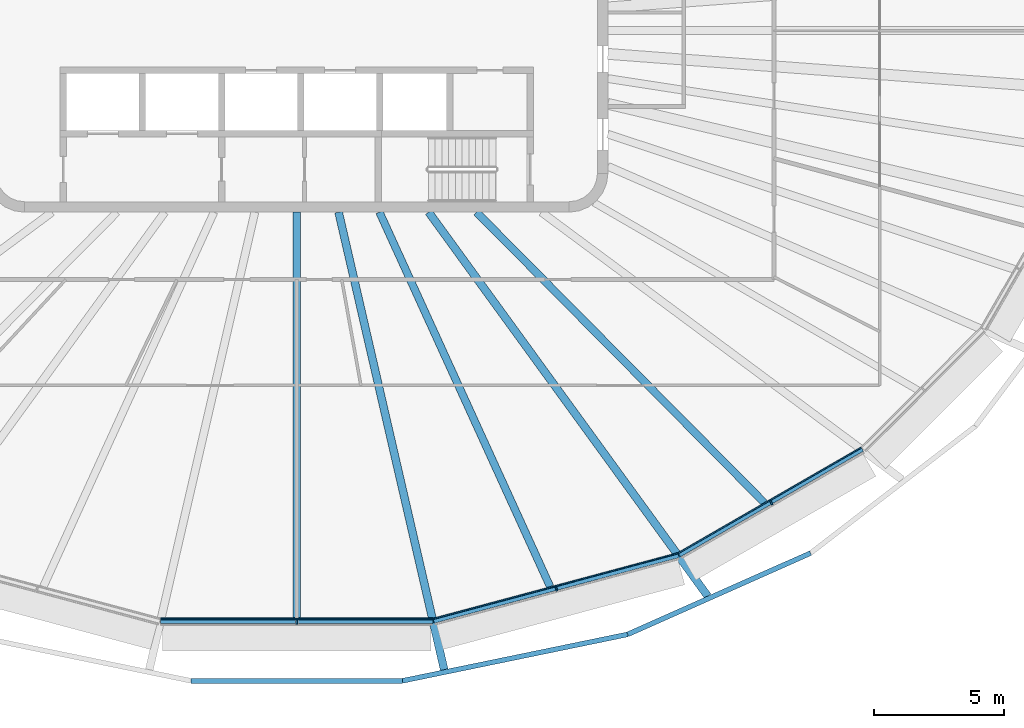
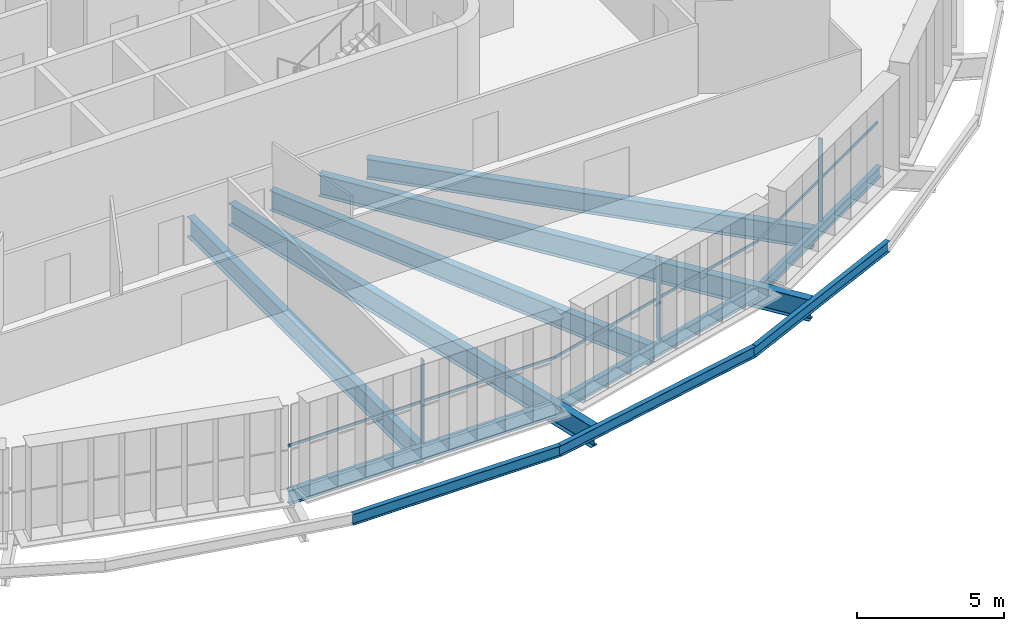
# One storey, part 3 of 20: 11 beams, 6 members, 3 elements without a shape of their own.
"""IFC4 building model written with IfcOpenShell, lengths in metres."""

from ifc_helpers import new_model, si_unit, direction, frame, origin, origin_2d, place, context, subcontext, project, spatial, rectangle, i_section, extrude, material, layer, layer_set, material_profile, profile_set, type_object, element, aggregate, save


model = new_model("IFC4")

# Units and contexts
model_context = context("Model", 3, precision=1e-05, world=origin(), true_north=direction((0.0, 1.0)))
body_context = subcontext(model_context, "Body", "Model", "MODEL_VIEW")
ifc_project = project(units=[si_unit("LENGTHUNIT", "METRE"), si_unit("AREAUNIT", "SQUARE_METRE"), si_unit("VOLUMEUNIT", "CUBIC_METRE"), si_unit("PLANEANGLEUNIT", "RADIAN"), si_unit("MASSUNIT", "GRAM", prefix="KILO")], contexts=[model_context])

# Site, building, storey
site_placement = place(None, origin())
site = spatial("IfcSite", under=ifc_project, at=site_placement, CompositionType="ELEMENT")
building_placement = place(site_placement, origin())
building = spatial("IfcBuilding", under=site, at=building_placement, Name="Sahrelin Media Tower", CompositionType="ELEMENT")
storey_placement = place(building_placement, frame((0.0, 0.0, 225.60009765625)))
storey = spatial("IfcBuildingStorey", under=building, at=storey_placement, Name="L48", CompositionType="ELEMENT", Elevation=225.60009765625)

# Beams
ifc_material_1 = material(Name="Steel S355", Category="steel")
ifc_material_profile_1 = material_profile(ifc_material_1, i_section(OverallWidth=0.1904296875, OverallDepth=0.45703125, WebThickness=0.009033203125, FlangeThickness=0.014404296875, FilletRadius=0.01025390625, at=origin_2d()), Name="UB 457x191x74")
ifc_profile_set_1 = profile_set([ifc_material_profile_1], Name="Steel S355")
beam_type_1 = type_object("IfcBeamType", Name="Edge beam EB5", PredefinedType="BEAM", material=ifc_profile_set_1)
beam_1_placement = place(storey_placement, frame((21.80517578125, -16.1337890625, -0.378662109375), z_axis=(-0.866012430043, -0.500022470507, 0.0), x_axis=(0.500022470507, -0.866012430043, 0.0)))
element("IfcBeam", 1, at=beam_1_placement, inside=storey, type_object=beam_type_1, Name="Edge beam L48-05", PredefinedType="BEAM", context=body_context, shape_type="SweptSolid", body=[
    extrude(i_section(OverallWidth=0.1904296875, OverallDepth=0.45703125, WebThickness=0.009033203125, FlangeThickness=0.014404296875, FilletRadius=0.01025390625, at=origin_2d()), origin(), (0.0, 0.0, 1.0), 8.147705078125),
])
ifc_material_profile_2 = material_profile(ifc_material_1, i_section(OverallWidth=0.208740234375, OverallDepth=0.5283203125, WebThickness=0.009521484375, FlangeThickness=0.01318359375, FilletRadius=0.0126953125, at=origin_2d()), Name="UB 533x210x82")
ifc_profile_set_2 = profile_set([ifc_material_profile_2], Name="Steel S355")
beam_type_2 = type_object("IfcBeamType", Name="Edge beam EB6", PredefinedType="BEAM", material=ifc_profile_set_2)
beam_2_placement = place(storey_placement, frame((14.72265625, -20.21875, -0.414306640625), z_axis=(-0.965927541634, -0.258812643265, 0.0), x_axis=(0.258812643265, -0.965927541634, 0.0)))
element("IfcBeam", 2, at=beam_2_placement, inside=storey, type_object=beam_type_2, Name="Edge beam L48-06", PredefinedType="BEAM", context=body_context, shape_type="SweptSolid", body=[
    extrude(i_section(OverallWidth=0.208740234375, OverallDepth=0.5283203125, WebThickness=0.009521484375, FlangeThickness=0.01318359375, FilletRadius=0.0126953125, at=origin_2d()), origin(), (0.0, 0.0, 1.0), 9.7763671875),
])
ifc_material_profile_3 = material_profile(ifc_material_1, i_section(OverallWidth=0.2275390625, OverallDepth=0.6025390625, WebThickness=0.010498046875, FlangeThickness=0.014892578125, FilletRadius=0.0126953125, at=origin_2d()), Name="UB 610x229x101")
ifc_profile_set_3 = profile_set([ifc_material_profile_3], Name="Steel S355")
beam_type_3 = type_object("IfcBeamType", Name="Edge beam EB7", PredefinedType="BEAM", material=ifc_profile_set_3)
beam_3_placement = place(storey_placement, frame((5.25048828125, -22.752685546875, -0.451416015625), z_axis=(-1.0, 0.0, 0.0), x_axis=(0.0, -1.0, 0.0)))
element("IfcBeam", 3, at=beam_3_placement, inside=storey, type_object=beam_type_3, Name="Edge beam L48-07", PredefinedType="BEAM", context=body_context, shape_type="SweptSolid", body=[
    extrude(i_section(OverallWidth=0.2275390625, OverallDepth=0.6025390625, WebThickness=0.010498046875, FlangeThickness=0.014892578125, FilletRadius=0.0126953125, at=origin_2d()), origin(), (0.0, 0.0, 1.0), 10.5009765625),
])

# Curtain wall, member
ifc_material_2 = material(Name="Champagne anodised aluminium 6063-T6", Category="aluminium")
ifc_layer = layer(ifc_material_2, 0.14990234375)
ifc_layer_set = layer_set([ifc_layer], Name="Tower ribbon curtain wall")
curtain_wall_type = type_object("IfcCurtainWallType", Name="Tower ribbon curtain wall", PredefinedType="NOTDEFINED", material=ifc_layer_set)
curtain_wall_1_placement = place(storey_placement, frame((0.0, -22.90283203125, 0.0), z_axis=(0.0, 0.0, 1.0), x_axis=(1.0, 0.0, 0.0)))
curtain_wall_1 = element("IfcCurtainWall", 4, at=curtain_wall_1_placement, inside=storey, type_object=curtain_wall_type, Name="L48:CW:L48-18", PredefinedType="NOTDEFINED")
ifc_material_profile_4 = material_profile(ifc_material_2, rectangle(XDim=0.06005859375, YDim=0.175048828125, at=origin_2d()), Name="Mullion 60x175")
ifc_profile_set_4 = profile_set([ifc_material_profile_4], Name="Champagne anodised aluminium 6063-T6")
member_type_1 = type_object("IfcMemberType", Name="Mullion 60x175 CW1B", PredefinedType="MULLION", material=ifc_profile_set_4)
member_1_placement = place(storey_placement, frame((0.0, -22.79541015625, 0.0), z_axis=(0.0, 0.0, 1.0), x_axis=(1.0, 0.0, 0.0)))
member_1 = element("IfcMember", 5, at=member_1_placement, type_object=member_type_1, Name="L48:CWM:L48-18", PredefinedType="MULLION", context=body_context, shape_type="SweptSolid", body=[
    extrude(rectangle(XDim=0.06005859375, YDim=0.175048828125, at=origin_2d()), origin(), (0.0, 0.0, 1.0), 3.448486328125),
])

curtain_wall_2_placement = place(storey_placement, frame((10.039794921875, -21.628662109375, 0.0), z_axis=(0.0, 0.0, 1.0), x_axis=(1.0, 0.0, 0.0)))
curtain_wall_2 = element("IfcCurtainWall", 6, at=curtain_wall_2_placement, inside=storey, type_object=curtain_wall_type, Name="L48:CW:L48-19", PredefinedType="NOTDEFINED")
member_2_placement = place(storey_placement, frame((10.011962890625, -21.52490234375, 0.0), z_axis=(0.0, 0.0, 1.0), x_axis=(0.965926278012, 0.258817359244, 0.0)))
member_2 = element("IfcMember", 7, at=member_2_placement, type_object=member_type_1, Name="L48:CWM:L48-19", PredefinedType="MULLION", context=body_context, shape_type="SweptSolid", body=[
    extrude(rectangle(XDim=0.06005859375, YDim=0.175048828125, at=origin_2d()), origin(), (0.0, 0.0, 1.0), 3.448486328125),
])

curtain_wall_3_placement = place(storey_placement, frame((18.352294921875, -18.30078125, 0.0), z_axis=(0.0, 0.0, 1.0), x_axis=(1.0, 0.0, 0.0)))
curtain_wall_3 = element("IfcCurtainWall", 8, at=curtain_wall_3_placement, inside=storey, type_object=curtain_wall_type, Name="L48:CW:L48-20", PredefinedType="NOTDEFINED")
member_3_placement = place(storey_placement, frame((18.298583984375, -18.20751953125, 0.0), z_axis=(0.0, 0.0, 1.0), x_axis=(0.866026276448, 0.4999984885, 0.0)))
member_3 = element("IfcMember", 9, at=member_3_placement, type_object=member_type_1, Name="L48:CWM:L48-20", PredefinedType="MULLION", context=body_context, shape_type="SweptSolid", body=[
    extrude(rectangle(XDim=0.06005859375, YDim=0.175048828125, at=origin_2d()), origin(), (0.0, 0.0, 1.0), 3.448486328125),
])

# Beams
ifc_material_profile_5 = material_profile(ifc_material_1, i_section(OverallWidth=0.30322265625, OverallDepth=0.903076171875, WebThickness=0.01513671875, FlangeThickness=0.020263671875, FilletRadius=0.01904296875, at=origin_2d()), Name="UB 914x305x201")
ifc_profile_set_5 = profile_set([ifc_material_profile_5], Name="Steel S355")
beam_type_4 = type_object("IfcBeamType", Name="Radial primary beam PB11", PredefinedType="BEAM", material=ifc_profile_set_5)
beam_4_placement = place(storey_placement, frame((1.615234375, -7.0, -0.6015625), z_axis=(0.224839811438, -0.974395740545, 0.0), x_axis=(0.974395740545, 0.224839811438, 0.0)))
element("IfcBeam", 10, at=beam_4_placement, inside=storey, type_object=beam_type_4, Name="Radial beam L48-19", PredefinedType="BEAM", context=body_context, shape_type="SweptSolid", body=[
    extrude(i_section(OverallWidth=0.30322265625, OverallDepth=0.903076171875, WebThickness=0.01513671875, FlangeThickness=0.020263671875, FilletRadius=0.01904296875, at=origin_2d()), origin(), (0.0, 0.0, 1.0), 18.1064453125),
])
beam_5_placement = place(storey_placement, frame((5.087890625, -7.0, -0.6015625), z_axis=(0.587944035453, -0.808901607846, 0.0), x_axis=(0.808901607846, 0.587944035453, 0.0)))
element("IfcBeam", 11, at=beam_5_placement, inside=storey, type_object=beam_type_4, Name="Radial beam L48-20", PredefinedType="BEAM", context=body_context, shape_type="SweptSolid", body=[
    extrude(i_section(OverallWidth=0.30322265625, OverallDepth=0.903076171875, WebThickness=0.01513671875, FlangeThickness=0.020263671875, FilletRadius=0.01904296875, at=origin_2d()), origin(), (0.0, 0.0, 1.0), 18.302001953125),
])
ifc_material_profile_6 = material_profile(ifc_material_1, i_section(OverallWidth=0.291748046875, OverallDepth=0.8349609375, WebThickness=0.013916015625, FlangeThickness=0.018798828125, FilletRadius=0.017822265625, at=origin_2d()), Name="UB 838x292x176")
ifc_profile_set_6 = profile_set([ifc_material_profile_6], Name="Steel S355")
beam_type_5 = type_object("IfcBeamType", Name="Radial secondary beam SB10", PredefinedType="BEAM", material=ifc_profile_set_6)
beam_6_placement = place(storey_placement, frame((0.0, -7.0, -0.567626953125), z_axis=(0.0, -1.0, 0.0), x_axis=(1.0, 0.0, 0.0)))
element("IfcBeam", 12, at=beam_6_placement, inside=storey, type_object=beam_type_5, Name="Secondary beam L48-14", PredefinedType="BEAM", context=body_context, shape_type="SweptSolid", body=[
    extrude(i_section(OverallWidth=0.291748046875, OverallDepth=0.8349609375, WebThickness=0.013916015625, FlangeThickness=0.018798828125, FilletRadius=0.017822265625, at=origin_2d()), origin(), (0.0, 0.0, 1.0), 15.638916015625),
])
beam_7_placement = place(storey_placement, frame((3.1904296875, -7.0, -0.567626953125), z_axis=(0.414733659063, -0.909942850975, 0.0), x_axis=(0.909942850975, 0.414733659063, 0.0)))
element("IfcBeam", 13, at=beam_7_placement, inside=storey, type_object=beam_type_5, Name="Secondary beam L48-15", PredefinedType="BEAM", context=body_context, shape_type="SweptSolid", body=[
    extrude(i_section(OverallWidth=0.291748046875, OverallDepth=0.8349609375, WebThickness=0.013916015625, FlangeThickness=0.018798828125, FilletRadius=0.017822265625, at=origin_2d()), origin(), (0.0, 0.0, 1.0), 15.866455078125),
])
beam_8_placement = place(storey_placement, frame((6.93359375, -7.0, -0.567626953125), z_axis=(0.703723553011, -0.710473898843, 0.0), x_axis=(0.710473898843, 0.703723553011, 0.0)))
element("IfcBeam", 14, at=beam_8_placement, inside=storey, type_object=beam_type_5, Name="Secondary beam L48-16", PredefinedType="BEAM", context=body_context, shape_type="SweptSolid", body=[
    extrude(i_section(OverallWidth=0.291748046875, OverallDepth=0.8349609375, WebThickness=0.013916015625, FlangeThickness=0.018798828125, FilletRadius=0.017822265625, at=origin_2d()), origin(), (0.0, 0.0, 1.0), 15.768798828125),
])
ifc_material_profile_7 = material_profile(ifc_material_1, i_section(OverallWidth=0.1904296875, OverallDepth=0.45703125, WebThickness=0.009033203125, FlangeThickness=0.014404296875, FilletRadius=0.01025390625, at=origin_2d()), Name="UB 457x191x74")
ifc_profile_set_7 = profile_set([ifc_material_profile_7], Name="Steel S355")
beam_type_6 = type_object("IfcBeamType", Name="Tie chord TC5", PredefinedType="BEAM", material=ifc_profile_set_7)
beam_9_placement = place(storey_placement, frame((-4.073974609375, -25.072509765625, -0.378662109375), z_axis=(1.0, 0.0, 0.0), x_axis=(0.0, 1.0, 0.0)))
element("IfcBeam", 15, at=beam_9_placement, inside=storey, type_object=beam_type_6, Name="Tie chord L48-18", PredefinedType="BEAM", context=body_context, shape_type="SweptSolid", body=[
    extrude(i_section(OverallWidth=0.1904296875, OverallDepth=0.45703125, WebThickness=0.009033203125, FlangeThickness=0.014404296875, FilletRadius=0.01025390625, at=origin_2d()), origin(), (0.0, 0.0, 1.0), 8.14794921875),
])
beam_10_placement = place(storey_placement, frame((4.073974609375, -25.072509765625, -0.378662109375), z_axis=(0.979387737281, 0.201989257299, 0.0), x_axis=(-0.201989257299, 0.979387737281, 0.0)))
element("IfcBeam", 16, at=beam_10_placement, inside=storey, type_object=beam_type_6, Name="Tie chord L48-19", PredefinedType="BEAM", context=body_context, shape_type="SweptSolid", body=[
    extrude(i_section(OverallWidth=0.1904296875, OverallDepth=0.45703125, WebThickness=0.009033203125, FlangeThickness=0.014404296875, FilletRadius=0.01025390625, at=origin_2d()), origin(), (0.0, 0.0, 1.0), 8.8681640625),
])
beam_11_placement = place(storey_placement, frame((12.75927734375, -23.28125, -0.378662109375), z_axis=(0.913827194027, 0.406103262061, 0.0), x_axis=(-0.406103262061, 0.913827194027, 0.0)))
element("IfcBeam", 17, at=beam_11_placement, inside=storey, type_object=beam_type_6, Name="Tie chord L48-20", PredefinedType="BEAM", context=body_context, shape_type="SweptSolid", body=[
    extrude(i_section(OverallWidth=0.1904296875, OverallDepth=0.45703125, WebThickness=0.009033203125, FlangeThickness=0.014404296875, FilletRadius=0.01025390625, at=origin_2d()), origin(), (0.0, 0.0, 1.0), 7.721435546875),
])

# Member
ifc_material_profile_8 = material_profile(ifc_material_2, rectangle(XDim=0.050048828125, YDim=0.110107421875, at=origin_2d()), Name="Transom 50x110")
ifc_profile_set_8 = profile_set([ifc_material_profile_8], Name="Champagne anodised aluminium 6063-T6")
member_type_2 = type_object("IfcMemberType", Name="Transom 50x110 CW1B", PredefinedType="USERDEFINED", material=ifc_profile_set_8)
member_4_placement = place(storey_placement, frame((-5.23486328125, -22.682861328125, 1.599853515625), z_axis=(1.0, 0.0, 0.0), x_axis=(0.0, 1.0, 0.0)))
member_4 = element("IfcMember", 18, at=member_4_placement, type_object=member_type_2, Name="L48:CWT:L48-18", ObjectType="TRANSOM", PredefinedType="USERDEFINED", context=body_context, shape_type="SweptSolid", body=[
    extrude(rectangle(XDim=0.050048828125, YDim=0.110107421875, at=origin_2d()), origin(), (0.0, 0.0, 1.0), 10.4697265625),
])

aggregate(curtain_wall_1, [member_1, member_4])

member_5_placement = place(storey_placement, frame((5.2763671875, -22.677490234375, 1.599853515625), z_axis=(0.965919870225, 0.258841272413, 0.0), x_axis=(-0.258841272413, 0.965919870225, 0.0)))
member_5 = element("IfcMember", 19, at=member_5_placement, type_object=member_type_2, Name="L48:CWT:L48-19", ObjectType="TRANSOM", PredefinedType="USERDEFINED", context=body_context, shape_type="SweptSolid", body=[
    extrude(rectangle(XDim=0.050048828125, YDim=0.110107421875, at=origin_2d()), origin(), (0.0, 0.0, 1.0), 9.7451171875),
])

aggregate(curtain_wall_2, [member_2, member_5])

member_6_placement = place(storey_placement, frame((14.727783203125, -20.13916015625, 1.599853515625), z_axis=(0.866037312134, 0.499979373566, 0.0), x_axis=(-0.499979373566, 0.866037312134, 0.0)))
member_6 = element("IfcMember", 20, at=member_6_placement, type_object=member_type_2, Name="L48:CWT:L48-20", ObjectType="TRANSOM", PredefinedType="USERDEFINED", context=body_context, shape_type="SweptSolid", body=[
    extrude(rectangle(XDim=0.050048828125, YDim=0.110107421875, at=origin_2d()), origin(), (0.0, 0.0, 1.0), 8.115966796875),
])

aggregate(curtain_wall_3, [member_3, member_6])

save(model, "model.ifc")
